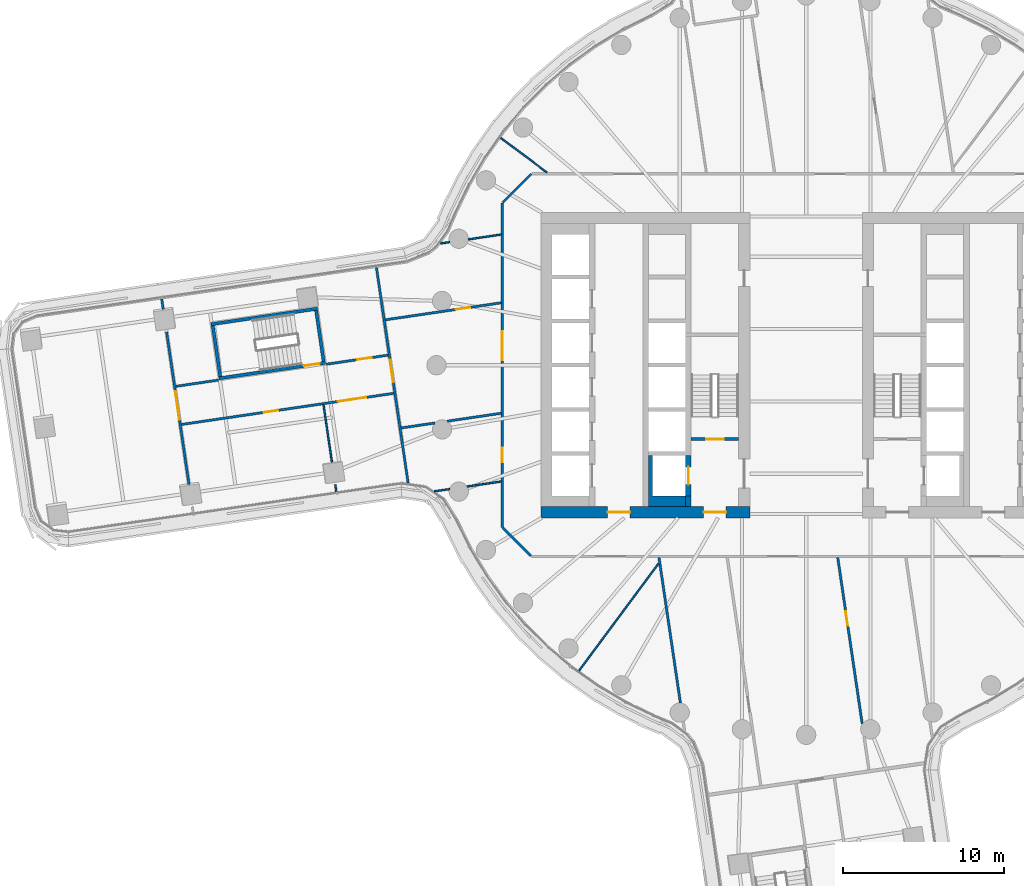
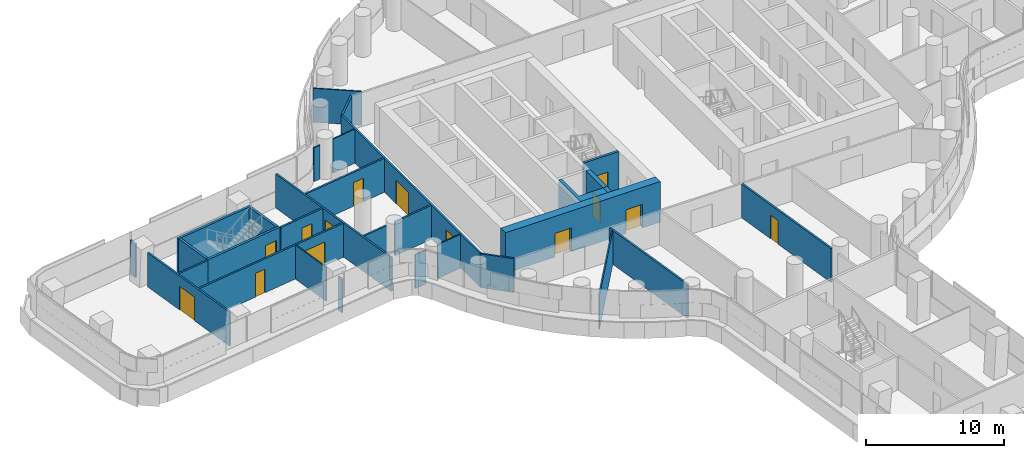
# One storey, part 20 of 31: 31 walls, 14 doors, 14 openings.
"""IFC4 building model written with IfcOpenShell, lengths in metres."""

from ifc_helpers import new_model, si_unit, direction, frame, frame_2d, origin, place, context, subcontext, project, spatial, polyline, rectangle, outline, extrude, material, layer, layer_set, type_object, element, fill, save


model = new_model("IFC4")

# Units and contexts
model_context = context("Model", 3, precision=1e-05, world=origin(), true_north=direction((0.0, 1.0)))
body_context = subcontext(model_context, "Body", "Model", "MODEL_VIEW")
ifc_project = project(units=[si_unit("LENGTHUNIT", "METRE"), si_unit("AREAUNIT", "SQUARE_METRE"), si_unit("VOLUMEUNIT", "CUBIC_METRE"), si_unit("PLANEANGLEUNIT", "RADIAN"), si_unit("MASSUNIT", "GRAM", prefix="KILO")], contexts=[model_context])

# Site, building, storey
site_placement = place(None, origin())
site = spatial("IfcSite", under=ifc_project, at=site_placement, CompositionType="ELEMENT")
building_placement = place(site_placement, origin())
building = spatial("IfcBuilding", under=site, at=building_placement, Name="Tamarind Cross Interchange Tower", CompositionType="ELEMENT")
storey_placement = place(building_placement, frame((0.0, 0.0, 64.0)))
storey = spatial("IfcBuildingStorey", under=building, at=storey_placement, Name="L14", CompositionType="ELEMENT", Elevation=64.0)

# Wall, openings, doors
ifc_material_1 = material(Name="Concrete C80", Category="concrete")
ifc_layer_1 = layer(ifc_material_1, 0.699951171875)
ifc_layer_set_1 = layer_set([ifc_layer_1], Name="Concrete C80")
wall_type_1 = type_object("IfcWallType", Name="Core wall 700 mm Concrete C80", PredefinedType="SHEAR", material=ifc_layer_set_1)
wall_1_placement = place(storey_placement, frame((-16.5, -9.14990234375, 0.0), z_axis=(0.0, 0.0, 1.0), x_axis=(1.0, 0.0, 0.0)))
wall_1 = element("IfcWall", 1, at=wall_1_placement, inside=storey, type_object=wall_type_1, Name="Core wall CWL-L14-W-S", PredefinedType="SHEAR", context=body_context, shape_type="SweptSolid", body=[
    extrude(rectangle(XDim=13.0, YDim=0.699951171875, at=frame_2d((6.5, 0.0))), origin(), (0.0, 0.0, 1.0), 3.610107421875),
])
opening_1_placement = place(wall_1_placement, frame((4.14990234375, 0.0, 0.0)))
opening_1 = element("IfcOpeningElement", 2, at=opening_1_placement, cuts=wall_1, Name="Opening DCW1", PredefinedType="OPENING", context=body_context, shape_type="SweptSolid", body=[
    extrude(rectangle(XDim=1.39990234375, YDim=2.10009765625, at=frame_2d((0.699951171875, 1.050048828125))), frame((0.0, 0.35986328125, 0.0), z_axis=(0.0, -1.0, 0.0), x_axis=(1.0, 0.0, 0.0)), (0.0, 0.0, 1.0), 0.719970703125),
])
opening_2_placement = place(wall_1_placement, frame((10.125, 0.0, 0.0)))
opening_2 = element("IfcOpeningElement", 3, at=opening_2_placement, cuts=wall_1, Name="Opening DCWF", PredefinedType="OPENING", context=body_context, shape_type="SweptSolid", body=[
    extrude(rectangle(XDim=1.39990234375, YDim=2.10009765625, at=frame_2d((0.699951171875, 1.050048828125))), frame((0.0, 0.35986328125, 0.0), z_axis=(0.0, -1.0, 0.0), x_axis=(1.0, 0.0, 0.0)), (0.0, 0.0, 1.0), 0.719970703125),
])
ifc_material_2 = material(Name="Steel, fire-resisting", Category="steel")
door_type_1 = type_object("IfcDoorType", Name="Core fire door 1400 x 2100 FD90", OperationType="SINGLE_SWING_LEFT", PredefinedType="DOOR", material=ifc_material_2)
door_1_placement = place(opening_1_placement, origin())
door_1 = element("IfcDoor", 4, at=door_1_placement, inside=storey, type_object=door_type_1, Name="L14 lift lobby door", OperationType="SINGLE_SWING_LEFT", OverallHeight=2.10009765625, OverallWidth=1.39990234375, PredefinedType="DOOR", context=body_context, shape_type="SweptSolid", body=[
    extrude(rectangle(XDim=1.39990234375, YDim=2.10009765625, at=frame_2d((0.699951171875, 1.050048828125))), frame((0.0, 0.02490234375, 0.0), z_axis=(0.0, -1.0, 0.0), x_axis=(1.0, 0.0, 0.0)), (0.0, 0.0, 1.0), 0.050048828125),
])
fill(opening_1, door_1)
door_2_placement = place(opening_2_placement, origin())
door_2 = element("IfcDoor", 5, at=door_2_placement, inside=storey, type_object=door_type_1, Name="L14 firefighting lobby end door", OperationType="SINGLE_SWING_LEFT", OverallHeight=2.10009765625, OverallWidth=1.39990234375, PredefinedType="DOOR", context=body_context, shape_type="SweptSolid", body=[
    extrude(rectangle(XDim=1.39990234375, YDim=2.10009765625, at=frame_2d((0.699951171875, 1.050048828125))), frame((0.0, 0.02490234375, 0.0), z_axis=(0.0, -1.0, 0.0), x_axis=(1.0, 0.0, 0.0)), (0.0, 0.0, 1.0), 0.050048828125),
])
fill(opening_2, door_2)

# Walls
ifc_layer_2 = layer(ifc_material_1, 0.35009765625)
ifc_layer_set_2 = layer_set([ifc_layer_2], Name="Concrete C80")
wall_type_2 = type_object("IfcWallType", Name="Core web wall 350 mm Concrete C80", PredefinedType="SHEAR", material=ifc_layer_set_2)
wall_2_placement = place(storey_placement, origin())
element("IfcWall", 6, at=wall_2_placement, inside=storey, type_object=wall_type_2, Name="Core wall CWL-L14-W-BS", PredefinedType="SHEAR", context=body_context, shape_type="SweptSolid", body=[
    extrude(outline(polyline([(-7.5, -8.125), (-9.550048828125, -8.125), (-9.550048828125, -5.625), (-9.800048828125, -5.625), (-9.800048828125, -8.125), (-9.800048828125, -8.800048828125), (-7.5, -8.800048828125), (-7.5, -8.125)])), origin(), (0.0, 0.0, 1.0), 3.610107421875),
])
wall_3_placement = place(storey_placement, frame((-7.324951171875, -8.800048828125, 0.0), z_axis=(0.0, 0.0, 1.0), x_axis=(0.0, 1.0, 0.0)))
element("IfcWall", 7, at=wall_3_placement, inside=storey, type_object=wall_type_2, Name="Core wall CWL-L14-W-BW", PredefinedType="SHEAR", context=body_context, shape_type="SweptSolid", body=[
    extrude(rectangle(XDim=0.675048828125, YDim=0.35009765625, at=frame_2d((0.33740234375, 0.0))), origin(), (0.0, 0.0, 1.0), 3.610107421875),
])

# Wall, opening, door
wall_4_placement = place(storey_placement, frame((-7.324951171875, -8.125, 0.0), z_axis=(0.0, 0.0, 1.0), x_axis=(0.0, 1.0, 0.0)))
wall_4 = element("IfcWall", 8, at=wall_4_placement, inside=storey, type_object=wall_type_2, Name="Core wall CWL-L14-W-FF", PredefinedType="SHEAR", context=body_context, shape_type="SweptSolid", body=[
    extrude(rectangle(XDim=2.5, YDim=0.35009765625, at=frame_2d((1.25, 0.0))), origin(), (0.0, 0.0, 1.0), 3.610107421875),
])
opening_3_placement = place(wall_4_placement, frame((0.699951171875, 0.0, 0.0)))
opening_3 = element("IfcOpeningElement", 9, at=opening_3_placement, cuts=wall_4, Name="Opening LD7L14", PredefinedType="OPENING", context=body_context, shape_type="SweptSolid", body=[
    extrude(rectangle(XDim=1.10009765625, YDim=2.10009765625, at=frame_2d((0.550048828125, 1.050048828125))), frame((0.0, 0.18505859375, 0.0), z_axis=(0.0, -1.0, 0.0), x_axis=(1.0, 0.0, 0.0)), (0.0, 0.0, 1.0), 0.3701171875),
])
ifc_material_3 = material(Name="Stainless steel panel", Category="steel")
door_type_2 = type_object("IfcDoorType", Name="Lift landing door 1100 x 2100 E 120", OperationType="SLIDING_TO_LEFT", PredefinedType="DOOR", material=ifc_material_3)
door_3_placement = place(opening_3_placement, origin())
door_3 = element("IfcDoor", 10, at=door_3_placement, inside=storey, type_object=door_type_2, Name="L14 landing door LF7", OperationType="SLIDING_TO_LEFT", OverallHeight=2.10009765625, OverallWidth=1.10009765625, PredefinedType="DOOR", context=body_context, shape_type="SweptSolid", body=[
    extrude(rectangle(XDim=1.10009765625, YDim=2.10009765625, at=frame_2d((0.550048828125, 1.050048828125))), frame((0.0, 0.02490234375, 0.0), z_axis=(0.0, -1.0, 0.0), x_axis=(1.0, 0.0, 0.0)), (0.0, 0.0, 1.0), 0.050048828125),
])
fill(opening_3, door_3)

# Walls
ifc_material_4 = material(Name="Gypsum board partition on steel studs", Category="steel")
ifc_layer_3 = layer(ifc_material_4, 0.10009765625)
ifc_layer_set_3 = layer_set([ifc_layer_3], Name="Gypsum board partition on steel studs")
wall_type_3 = type_object("IfcWallType", Name="Partition 100 mm EI 120", PredefinedType="PARTITIONING", material=ifc_layer_set_3)
wall_5_placement = place(storey_placement, frame((-19.001220703125, 14.13330078125, 0.0), z_axis=(0.0, 0.0, 1.0), x_axis=(0.802357716304, -0.596843442695, 0.0)))
element("IfcWall", 11, at=wall_5_placement, inside=storey, type_object=wall_type_3, Name="Partition L14-036", PredefinedType="PARTITIONING", context=body_context, shape_type="SweptSolid", body=[
    extrude(rectangle(XDim=3.581787109375, YDim=0.10009765625, at=frame_2d((1.791015625, 0.0))), origin(), (0.0, 0.0, 1.0), 3.010009765625),
])
ifc_layer_4 = layer(ifc_material_4, 0.10009765625)
ifc_layer_set_4 = layer_set([ifc_layer_4], Name="Gypsum board partition on steel studs")
wall_type_4 = type_object("IfcWallType", Name="Partition 100 mm EI 90", PredefinedType="PARTITIONING", material=ifc_layer_set_4)
wall_6_placement = place(storey_placement, frame((-30.02685546875, -2.46337890625, 0.0), z_axis=(0.0, 0.0, 1.0), x_axis=(0.145302691469, -0.989387248681, 0.0)))
element("IfcWall", 12, at=wall_6_placement, inside=storey, type_object=wall_type_4, Name="Partition L14-004", PredefinedType="PARTITIONING", context=body_context, shape_type="SweptSolid", body=[
    extrude(rectangle(XDim=3.600830078125, YDim=0.10009765625, at=frame_2d((1.80029296875, 0.0))), origin(), (0.0, 0.0, 1.0), 3.010009765625),
])
wall_7_placement = place(storey_placement, frame((-29.29736328125, -7.4306640625, 0.0), z_axis=(0.0, 0.0, 1.0), x_axis=(0.145411905938, -0.989371203144, 0.0)))
element("IfcWall", 13, at=wall_7_placement, inside=storey, type_object=wall_type_4, Name="Partition L14-005", PredefinedType="PARTITIONING", context=body_context, shape_type="SweptSolid", body=[
    extrude(rectangle(XDim=0.42822265625, YDim=0.10009765625, at=frame_2d((0.214111328125, 0.0))), origin(), (0.0, 0.0, 1.0), 3.010009765625),
])
wall_8_placement = place(storey_placement, frame((-23.128173828125, -7.84765625, 0.0), z_axis=(0.0, 0.0, 1.0), x_axis=(0.989386100857, 0.145310506954, 0.0)))
element("IfcWall", 14, at=wall_8_placement, inside=storey, type_object=wall_type_4, Name="Partition L14-048", PredefinedType="PARTITIONING", context=body_context, shape_type="SweptSolid", body=[
    extrude(rectangle(XDim=0.957763671875, YDim=0.10009765625, at=frame_2d((0.47900390625, 0.0))), origin(), (0.0, 0.0, 1.0), 3.010009765625),
])
wall_9_placement = place(storey_placement, frame((-21.09716796875, -7.549072265625, 0.0), z_axis=(0.0, 0.0, 1.0), x_axis=(0.989370639684, 0.145415739624, 0.0)))
element("IfcWall", 15, at=wall_9_placement, inside=storey, type_object=wall_type_4, Name="Partition L14-049", PredefinedType="PARTITIONING", context=body_context, shape_type="SweptSolid", body=[
    extrude(rectangle(XDim=2.15576171875, YDim=0.10009765625, at=frame_2d((1.077880859375, 0.0))), origin(), (0.0, 0.0, 1.0), 3.010009765625),
])
wall_10_placement = place(storey_placement, frame((-22.7509765625, 7.571044921875, 0.0), z_axis=(0.0, 0.0, 1.0), x_axis=(0.98935388362, 0.145529697883, 0.0)))
element("IfcWall", 16, at=wall_10_placement, inside=storey, type_object=wall_type_4, Name="Partition L14-052", PredefinedType="PARTITIONING", context=body_context, shape_type="SweptSolid", body=[
    extrude(rectangle(XDim=0.590576171875, YDim=0.10009765625, at=frame_2d((0.29541015625, 0.0))), origin(), (0.0, 0.0, 1.0), 3.010009765625),
])
wall_11_placement = place(storey_placement, frame((-21.013671875, 7.826416015625, 0.0), z_axis=(0.0, 0.0, 1.0), x_axis=(0.989366120347, 0.145446484692, 0.0)))
element("IfcWall", 17, at=wall_11_placement, inside=storey, type_object=wall_type_4, Name="Partition L14-053", PredefinedType="PARTITIONING", context=body_context, shape_type="SweptSolid", body=[
    extrude(rectangle(XDim=2.0712890625, YDim=0.10009765625, at=frame_2d((1.03564453125, 0.0))), origin(), (0.0, 0.0, 1.0), 3.010009765625),
])
wall_12_placement = place(storey_placement, frame((-14.13330078125, -19.001220703125, 0.0), z_axis=(0.0, 0.0, 1.0), x_axis=(0.596808955644, 0.80238336876, 0.0)))
element("IfcWall", 18, at=wall_12_placement, inside=storey, type_object=wall_type_4, Name="Partition L14-073", PredefinedType="PARTITIONING", context=body_context, shape_type="SweptSolid", body=[
    extrude(rectangle(XDim=8.275146484375, YDim=0.10009765625, at=frame_2d((4.1376953125, 0.0))), origin(), (0.0, 0.0, 1.0), 3.010009765625),
])
ifc_layer_5 = layer(ifc_material_4, 0.14990234375)
ifc_layer_set_5 = layer_set([ifc_layer_5], Name="Gypsum board partition on steel studs")
wall_type_5 = type_object("IfcWallType", Name="Partition 150 mm EI 120", PredefinedType="PARTITIONING", material=ifc_layer_set_5)
wall_13_placement = place(storey_placement, frame((-40.08984375, 4.113037109375, 0.0), z_axis=(0.0, 0.0, 1.0), x_axis=(0.145362527473, -0.989378459239, 0.0)))
element("IfcWall", 19, at=wall_13_placement, inside=storey, type_object=wall_type_5, Name="Partition L14-001", PredefinedType="PARTITIONING", context=body_context, shape_type="SweptSolid", body=[
    extrude(rectangle(XDim=0.6416015625, YDim=0.14990234375, at=frame_2d((0.32080078125, 0.0))), origin(), (0.0, 0.0, 1.0), 3.010009765625),
])

# Wall, opening, door
wall_14_placement = place(storey_placement, frame((-39.790283203125, 2.073486328125, 0.0), z_axis=(0.0, 0.0, 1.0), x_axis=(0.145351084512, -0.989380140407, 0.0)))
wall_14 = element("IfcWall", 20, at=wall_14_placement, inside=storey, type_object=wall_type_5, Name="Partition L14-002", PredefinedType="PARTITIONING", context=body_context, shape_type="SweptSolid", body=[
    extrude(rectangle(XDim=9.5908203125, YDim=0.14990234375, at=frame_2d((4.79541015625, 0.0))), origin(), (0.0, 0.0, 1.0), 3.010009765625),
])
opening_4_placement = place(wall_14_placement, frame((3.738037109375, 0.0, 0.0)))
opening_4 = element("IfcOpeningElement", 21, at=opening_4_placement, cuts=wall_14, Name="Opening D01", PredefinedType="OPENING", context=body_context, shape_type="SweptSolid", body=[
    extrude(rectangle(XDim=1.800048828125, YDim=2.10009765625, at=frame_2d((0.89990234375, 1.050048828125))), frame((0.0, 0.0849609375, 0.0), z_axis=(0.0, -1.0, 0.0), x_axis=(1.0, 0.0, 0.0)), (0.0, 0.0, 1.0), 0.169921875),
])
ifc_material_5 = material(Name="Fire-resisting door set")
door_type_3 = type_object("IfcDoorType", Name="Interior door 1800 x 2100 FD60S", OperationType="DOUBLE_DOOR_SINGLE_SWING", PredefinedType="DOOR", material=ifc_material_5)
door_4_placement = place(opening_4_placement, frame((1.800048828125, 0.0, 0.0), z_axis=(0.0, 0.0, 1.0), x_axis=(-1.0, 0.0, 0.0)))
door_4 = element("IfcDoor", 22, at=door_4_placement, inside=storey, type_object=door_type_3, Name="Door D01", OperationType="DOUBLE_DOOR_SINGLE_SWING", OverallHeight=2.10009765625, OverallWidth=1.800048828125, PredefinedType="DOOR", context=body_context, shape_type="SweptSolid", body=[
    extrude(rectangle(XDim=1.800048828125, YDim=2.10009765625, at=frame_2d((0.89990234375, 1.050048828125))), frame((0.0, 0.02490234375, 0.0), z_axis=(0.0, -1.0, 0.0), x_axis=(1.0, 0.0, 0.0)), (0.0, 0.0, 1.0), 0.050048828125),
])
fill(opening_4, door_4)

wall_15_placement = place(storey_placement, frame((-26.73388671875, 6.075439453125, 0.0), z_axis=(0.0, 0.0, 1.0), x_axis=(0.145452992711, -0.989365163583, 0.0)))
wall_15 = element("IfcWall", 23, at=wall_15_placement, inside=storey, type_object=wall_type_5, Name="Partition L14-006", PredefinedType="PARTITIONING", context=body_context, shape_type="SweptSolid", body=[
    extrude(rectangle(XDim=13.543701171875, YDim=0.14990234375, at=frame_2d((6.77197265625, 0.0))), origin(), (0.0, 0.0, 1.0), 3.010009765625),
])
opening_5_placement = place(wall_15_placement, frame((5.798828125, 0.0, 0.0)))
opening_5 = element("IfcOpeningElement", 24, at=opening_5_placement, cuts=wall_15, Name="Opening D02", PredefinedType="OPENING", context=body_context, shape_type="SweptSolid", body=[
    extrude(rectangle(XDim=1.39990234375, YDim=2.10009765625, at=frame_2d((0.699951171875, 1.050048828125))), frame((0.0, 0.0849609375, 0.0), z_axis=(0.0, -1.0, 0.0), x_axis=(1.0, 0.0, 0.0)), (0.0, 0.0, 1.0), 0.169921875),
])
door_type_4 = type_object("IfcDoorType", Name="Interior door 1400 x 2100 FD60S", OperationType="DOUBLE_DOOR_SINGLE_SWING", PredefinedType="DOOR", material=ifc_material_5)
door_5_placement = place(opening_5_placement, origin())
door_5 = element("IfcDoor", 25, at=door_5_placement, inside=storey, type_object=door_type_4, Name="Door D02", OperationType="DOUBLE_DOOR_SINGLE_SWING", OverallHeight=2.10009765625, OverallWidth=1.39990234375, PredefinedType="DOOR", context=body_context, shape_type="SweptSolid", body=[
    extrude(rectangle(XDim=1.39990234375, YDim=2.10009765625, at=frame_2d((0.699951171875, 1.050048828125))), frame((0.0, 0.02490234375, 0.0), z_axis=(0.0, -1.0, 0.0), x_axis=(1.0, 0.0, 0.0)), (0.0, 0.0, 1.0), 0.050048828125),
])
fill(opening_5, door_5)

# Wall
wall_16_placement = place(storey_placement, frame((-9.15576171875, -11.96923828125, 0.0), z_axis=(0.0, 0.0, 1.0), x_axis=(0.145719234009, -0.989325985123, 0.0)))
element("IfcWall", 26, at=wall_16_placement, inside=storey, type_object=wall_type_5, Name="Partition L14-007", PredefinedType="PARTITIONING", context=body_context, shape_type="SweptSolid", body=[
    extrude(rectangle(XDim=9.142822265625, YDim=0.14990234375, at=frame_2d((4.5712890625, 0.0))), origin(), (0.0, 0.0, 1.0), 3.010009765625),
])

# Wall, opening, door
wall_17_placement = place(storey_placement, frame((1.965087890625, -11.968994140625, 0.0), z_axis=(0.0, 0.0, 1.0), x_axis=(0.145545031987, -0.989351627918, 0.0)))
wall_17 = element("IfcWall", 27, at=wall_17_placement, inside=storey, type_object=wall_type_5, Name="Partition L14-016", PredefinedType="PARTITIONING", context=body_context, shape_type="SweptSolid", body=[
    extrude(rectangle(XDim=10.46533203125, YDim=0.14990234375, at=frame_2d((5.232666015625, 0.0))), origin(), (0.0, 0.0, 1.0), 3.010009765625),
])
opening_6_placement = place(wall_17_placement, frame((3.3798828125, 0.0, 0.0)))
opening_6 = element("IfcOpeningElement", 28, at=opening_6_placement, cuts=wall_17, Name="Opening D05", PredefinedType="OPENING", context=body_context, shape_type="SweptSolid", body=[
    extrude(rectangle(XDim=0.89990234375, YDim=2.10009765625, at=frame_2d((0.449951171875, 1.050048828125))), frame((0.0, 0.0849609375, 0.0), z_axis=(0.0, -1.0, 0.0), x_axis=(1.0, 0.0, 0.0)), (0.0, 0.0, 1.0), 0.169921875),
])
door_type_5 = type_object("IfcDoorType", Name="Interior door 900 x 2100 FD60S", OperationType="SINGLE_SWING_LEFT", PredefinedType="DOOR", material=ifc_material_5)
door_6_placement = place(opening_6_placement, origin())
door_6 = element("IfcDoor", 29, at=door_6_placement, inside=storey, type_object=door_type_5, Name="Door D05", OperationType="SINGLE_SWING_RIGHT", OverallHeight=2.10009765625, OverallWidth=0.89990234375, PredefinedType="DOOR", context=body_context, shape_type="SweptSolid", body=[
    extrude(rectangle(XDim=0.89990234375, YDim=2.10009765625, at=frame_2d((0.449951171875, 1.050048828125))), frame((0.0, 0.02490234375, 0.0), z_axis=(0.0, -1.0, 0.0), x_axis=(1.0, 0.0, 0.0)), (0.0, 0.0, 1.0), 0.050048828125),
])
fill(opening_6, door_6)

# Walls
wall_18_placement = place(storey_placement, frame((-18.87158203125, -10.12841796875, 0.0), z_axis=(0.0, 0.0, 1.0), x_axis=(0.707106781187, -0.707106781187, 0.0)))
element("IfcWall", 30, at=wall_18_placement, inside=storey, type_object=wall_type_5, Name="Partition L14-034", PredefinedType="PARTITIONING", context=body_context, shape_type="SweptSolid", body=[
    extrude(rectangle(XDim=2.465087890625, YDim=0.14990234375, at=frame_2d((1.232421875, 0.0))), origin(), (0.0, 0.0, 1.0), 3.010009765625),
])
wall_19_placement = place(storey_placement, frame((-39.2119140625, -1.31640625, 0.0), z_axis=(0.0, 0.0, 1.0), x_axis=(0.989376867042, 0.145373364003, 0.0)))
element("IfcWall", 31, at=wall_19_placement, inside=storey, type_object=wall_type_5, Name="Partition L14-040", PredefinedType="PARTITIONING", context=body_context, shape_type="SweptSolid", body=[
    extrude(rectangle(XDim=2.680419921875, YDim=0.14990234375, at=frame_2d((1.34033203125, 0.0))), origin(), (0.0, 0.0, 1.0), 3.010009765625),
])

# Wall, opening, door
wall_20_placement = place(storey_placement, frame((-29.852783203125, 0.05908203125, 0.0), z_axis=(0.0, 0.0, 1.0), x_axis=(0.989374823663, 0.14538727008, 0.0)))
wall_20 = element("IfcWall", 32, at=wall_20_placement, inside=storey, type_object=wall_type_5, Name="Partition L14-041", PredefinedType="PARTITIONING", context=body_context, shape_type="SweptSolid", body=[
    extrude(rectangle(XDim=3.8857421875, YDim=0.14990234375, at=frame_2d((1.94287109375, 0.0))), origin(), (0.0, 0.0, 1.0), 3.010009765625),
])
opening_7_placement = place(wall_20_placement, frame((1.949951171875, 0.0, 0.0)))
opening_7 = element("IfcOpeningElement", 33, at=opening_7_placement, cuts=wall_20, Name="Opening D23", PredefinedType="OPENING", context=body_context, shape_type="SweptSolid", body=[
    extrude(rectangle(XDim=0.89990234375, YDim=2.10009765625, at=frame_2d((0.449951171875, 1.050048828125))), frame((0.0, 0.0849609375, 0.0), z_axis=(0.0, -1.0, 0.0), x_axis=(1.0, 0.0, 0.0)), (0.0, 0.0, 1.0), 0.169921875),
])
door_7_placement = place(opening_7_placement, origin())
door_7 = element("IfcDoor", 34, at=door_7_placement, inside=storey, type_object=door_type_5, Name="Door D23", OperationType="SINGLE_SWING_LEFT", OverallHeight=2.10009765625, OverallWidth=0.89990234375, PredefinedType="DOOR", context=body_context, shape_type="SweptSolid", body=[
    extrude(rectangle(XDim=0.89990234375, YDim=2.10009765625, at=frame_2d((0.449951171875, 1.050048828125))), frame((0.0, 0.02490234375, 0.0), z_axis=(0.0, -1.0, 0.0), x_axis=(1.0, 0.0, 0.0)), (0.0, 0.0, 1.0), 0.050048828125),
])
fill(opening_7, door_7)

# Wall, openings, doors
wall_21_placement = place(storey_placement, frame((-38.86279296875, -3.6904296875, 0.0), z_axis=(0.0, 0.0, 1.0), x_axis=(0.989383441436, 0.145328613194, 0.0)))
wall_21 = element("IfcWall", 35, at=wall_21_placement, inside=storey, type_object=wall_type_5, Name="Partition L14-044", PredefinedType="PARTITIONING", context=body_context, shape_type="SweptSolid", body=[
    extrude(rectangle(XDim=13.34521484375, YDim=0.14990234375, at=frame_2d((6.672607421875, 0.0))), origin(), (0.0, 0.0, 1.0), 3.010009765625),
])
opening_8_placement = place(wall_21_placement, frame((5.169921875, 0.0, 0.0)))
opening_8 = element("IfcOpeningElement", 36, at=opening_8_placement, cuts=wall_21, Name="Opening D24", PredefinedType="OPENING", context=body_context, shape_type="SweptSolid", body=[
    extrude(rectangle(XDim=0.89990234375, YDim=2.10009765625, at=frame_2d((0.449951171875, 1.050048828125))), frame((0.0, 0.0849609375, 0.0), z_axis=(0.0, -1.0, 0.0), x_axis=(1.0, 0.0, 0.0)), (0.0, 0.0, 1.0), 0.169921875),
])
opening_9_placement = place(wall_21_placement, frame((9.820556640625, 0.0, 0.0)))
opening_9 = element("IfcOpeningElement", 37, at=opening_9_placement, cuts=wall_21, Name="Opening D25", PredefinedType="OPENING", context=body_context, shape_type="SweptSolid", body=[
    extrude(rectangle(XDim=1.800048828125, YDim=2.10009765625, at=frame_2d((0.89990234375, 1.050048828125))), frame((0.0, 0.0849609375, 0.0), z_axis=(0.0, -1.0, 0.0), x_axis=(1.0, 0.0, 0.0)), (0.0, 0.0, 1.0), 0.169921875),
])
door_8_placement = place(opening_9_placement, frame((1.800048828125, 0.0, 0.0), z_axis=(0.0, 0.0, 1.0), x_axis=(-1.0, 0.0, 0.0)))
door_8 = element("IfcDoor", 38, at=door_8_placement, inside=storey, type_object=door_type_3, Name="Door D25", OperationType="DOUBLE_DOOR_SINGLE_SWING", OverallHeight=2.10009765625, OverallWidth=1.800048828125, PredefinedType="DOOR", context=body_context, shape_type="SweptSolid", body=[
    extrude(rectangle(XDim=1.800048828125, YDim=2.10009765625, at=frame_2d((0.89990234375, 1.050048828125))), frame((0.0, 0.02490234375, 0.0), z_axis=(0.0, -1.0, 0.0), x_axis=(1.0, 0.0, 0.0)), (0.0, 0.0, 1.0), 0.050048828125),
])
fill(opening_9, door_8)
door_9_placement = place(opening_8_placement, frame((0.89990234375, 0.0, 0.0), z_axis=(0.0, 0.0, 1.0), x_axis=(-1.0, 0.0, 0.0)))
door_9 = element("IfcDoor", 39, at=door_9_placement, inside=storey, type_object=door_type_5, Name="Door D24", OperationType="SINGLE_SWING_LEFT", OverallHeight=2.10009765625, OverallWidth=0.89990234375, PredefinedType="DOOR", context=body_context, shape_type="SweptSolid", body=[
    extrude(rectangle(XDim=0.89990234375, YDim=2.10009765625, at=frame_2d((0.449951171875, 1.050048828125))), frame((0.0, 0.02490234375, 0.0), z_axis=(0.0, -1.0, 0.0), x_axis=(1.0, 0.0, 0.0)), (0.0, 0.0, 1.0), 0.050048828125),
])
fill(opening_8, door_9)

# Wall, opening, door
wall_22_placement = place(storey_placement, frame((-26.1796875, 2.822021484375, 0.0), z_axis=(0.0, 0.0, 1.0), x_axis=(0.989369911443, 0.145420694304, 0.0)))
wall_22 = element("IfcWall", 40, at=wall_22_placement, inside=storey, type_object=wall_type_5, Name="Partition L14-045", PredefinedType="PARTITIONING", context=body_context, shape_type="SweptSolid", body=[
    extrude(rectangle(XDim=7.287841796875, YDim=0.14990234375, at=frame_2d((3.64404296875, 0.0))), origin(), (0.0, 0.0, 1.0), 3.010009765625),
])
opening_10_placement = place(wall_22_placement, frame((4.425048828125, 0.0, 0.0)))
opening_10 = element("IfcOpeningElement", 41, at=opening_10_placement, cuts=wall_22, Name="Opening D26", PredefinedType="OPENING", context=body_context, shape_type="SweptSolid", body=[
    extrude(rectangle(XDim=0.89990234375, YDim=2.10009765625, at=frame_2d((0.449951171875, 1.050048828125))), frame((0.0, 0.0849609375, 0.0), z_axis=(0.0, -1.0, 0.0), x_axis=(1.0, 0.0, 0.0)), (0.0, 0.0, 1.0), 0.169921875),
])
door_10_placement = place(opening_10_placement, origin())
door_10 = element("IfcDoor", 42, at=door_10_placement, inside=storey, type_object=door_type_5, Name="Door D26", OperationType="SINGLE_SWING_LEFT", OverallHeight=2.10009765625, OverallWidth=0.89990234375, PredefinedType="DOOR", context=body_context, shape_type="SweptSolid", body=[
    extrude(rectangle(XDim=0.89990234375, YDim=2.10009765625, at=frame_2d((0.449951171875, 1.050048828125))), frame((0.0, 0.02490234375, 0.0), z_axis=(0.0, -1.0, 0.0), x_axis=(1.0, 0.0, 0.0)), (0.0, 0.0, 1.0), 0.050048828125),
])
fill(opening_10, door_10)

# Walls
wall_23_placement = place(storey_placement, frame((-25.185791015625, -3.904296875, 0.0), z_axis=(0.0, 0.0, 1.0), x_axis=(0.989392222707, 0.145268818563, 0.0)))
element("IfcWall", 43, at=wall_23_placement, inside=storey, type_object=wall_type_5, Name="Partition L14-046", PredefinedType="PARTITIONING", context=body_context, shape_type="SweptSolid", body=[
    extrude(rectangle(XDim=2.12255859375, YDim=0.14990234375, at=frame_2d((1.061279296875, 0.0))), origin(), (0.0, 0.0, 1.0), 3.010009765625),
])
wall_24_placement = place(storey_placement, frame((-22.326904296875, -3.484375, 0.0), z_axis=(0.0, 0.0, 1.0), x_axis=(0.989385008204, 0.145317946381, 0.0)))
element("IfcWall", 44, at=wall_24_placement, inside=storey, type_object=wall_type_5, Name="Partition L14-047", PredefinedType="PARTITIONING", context=body_context, shape_type="SweptSolid", body=[
    extrude(rectangle(XDim=3.393798828125, YDim=0.14990234375, at=frame_2d((1.69677734375, 0.0))), origin(), (0.0, 0.0, 1.0), 3.010009765625),
])
wall_25_placement = place(storey_placement, frame((-18.87158203125, 10.12841796875, 0.0), z_axis=(0.0, 0.0, 1.0), x_axis=(0.707106781187, 0.707106781187, 0.0)))
element("IfcWall", 45, at=wall_25_placement, inside=storey, type_object=wall_type_5, Name="Partition L14-071", PredefinedType="PARTITIONING", context=body_context, shape_type="SweptSolid", body=[
    extrude(rectangle(XDim=2.50537109375, YDim=0.14990234375, at=frame_2d((1.252685546875, 0.0))), origin(), (0.0, 0.0, 1.0), 3.010009765625),
])

# Wall, openings, doors
wall_26_placement = place(storey_placement, frame((-18.89990234375, -10.10009765625, 0.0), z_axis=(0.0, 0.0, 1.0), x_axis=(0.0, 1.0, 0.0)))
wall_26 = element("IfcWall", 46, at=wall_26_placement, inside=storey, type_object=wall_type_5, Name="Partition L14-075", PredefinedType="PARTITIONING", context=body_context, shape_type="SweptSolid", body=[
    extrude(rectangle(XDim=20.2001953125, YDim=0.14990234375, at=frame_2d((10.10009765625, 0.0))), origin(), (0.0, 0.0, 1.0), 3.010009765625),
])
opening_11_placement = place(wall_26_placement, frame((10.4189453125, 0.0, 0.0)))
opening_11 = element("IfcOpeningElement", 47, at=opening_11_placement, cuts=wall_26, Name="Opening D37", PredefinedType="OPENING", context=body_context, shape_type="SweptSolid", body=[
    extrude(rectangle(XDim=1.800048828125, YDim=2.10009765625, at=frame_2d((0.89990234375, 1.050048828125))), frame((0.0, 0.0849609375, 0.0), z_axis=(0.0, -1.0, 0.0), x_axis=(1.0, 0.0, 0.0)), (0.0, 0.0, 1.0), 0.169921875),
])
opening_12_placement = place(wall_26_placement, frame((4.073974609375, 0.0, 0.0)))
opening_12 = element("IfcOpeningElement", 48, at=opening_12_placement, cuts=wall_26, Name="Opening D38", PredefinedType="OPENING", context=body_context, shape_type="SweptSolid", body=[
    extrude(rectangle(XDim=0.89990234375, YDim=2.10009765625, at=frame_2d((0.449951171875, 1.050048828125))), frame((0.0, 0.0849609375, 0.0), z_axis=(0.0, -1.0, 0.0), x_axis=(1.0, 0.0, 0.0)), (0.0, 0.0, 1.0), 0.169921875),
])
door_11_placement = place(opening_11_placement, frame((1.800048828125, 0.0, 0.0), z_axis=(0.0, 0.0, 1.0), x_axis=(-1.0, 0.0, 0.0)))
door_11 = element("IfcDoor", 49, at=door_11_placement, inside=storey, type_object=door_type_3, Name="Door D37", OperationType="DOUBLE_DOOR_SINGLE_SWING", OverallHeight=2.10009765625, OverallWidth=1.800048828125, PredefinedType="DOOR", context=body_context, shape_type="SweptSolid", body=[
    extrude(rectangle(XDim=1.800048828125, YDim=2.10009765625, at=frame_2d((0.89990234375, 1.050048828125))), frame((0.0, 0.02490234375, 0.0), z_axis=(0.0, -1.0, 0.0), x_axis=(1.0, 0.0, 0.0)), (0.0, 0.0, 1.0), 0.050048828125),
])
fill(opening_11, door_11)
door_12_placement = place(opening_12_placement, origin())
door_12 = element("IfcDoor", 50, at=door_12_placement, inside=storey, type_object=door_type_5, Name="Door D38", OperationType="SINGLE_SWING_RIGHT", OverallHeight=2.10009765625, OverallWidth=0.89990234375, PredefinedType="DOOR", context=body_context, shape_type="SweptSolid", body=[
    extrude(rectangle(XDim=0.89990234375, YDim=2.10009765625, at=frame_2d((0.449951171875, 1.050048828125))), frame((0.0, 0.02490234375, 0.0), z_axis=(0.0, -1.0, 0.0), x_axis=(1.0, 0.0, 0.0)), (0.0, 0.0, 1.0), 0.050048828125),
])
fill(opening_12, door_12)

# Wall, opening, door
ifc_material_6 = material(Name="Concrete C40", Category="concrete")
ifc_layer_6 = layer(ifc_material_6, 0.199951171875)
ifc_layer_set_6 = layer_set([ifc_layer_6], Name="Concrete C40")
wall_type_6 = type_object("IfcWallType", Name="Stair shaft wall 200 mm Concrete C40", PredefinedType="SHEAR", material=ifc_layer_set_6)
wall_27_placement = place(storey_placement, frame((-7.14990234375, -4.60009765625, 0.0), z_axis=(0.0, 0.0, 1.0), x_axis=(1.0, 0.0, 0.0)))
wall_27 = element("IfcWall", 51, at=wall_27_placement, inside=storey, type_object=wall_type_6, Name="Core wall CWL-L14-W-SD", PredefinedType="SHEAR", context=body_context, shape_type="SweptSolid", body=[
    extrude(rectangle(XDim=2.949951171875, YDim=0.199951171875, at=frame_2d((1.47509765625, 0.0))), origin(), (0.0, 0.0, 1.0), 3.610107421875),
])
opening_13_placement = place(wall_27_placement, frame((0.925048828125, 0.0, 0.0)))
opening_13 = element("IfcOpeningElement", 52, at=opening_13_placement, cuts=wall_27, Name="Opening DCW6", PredefinedType="OPENING", context=body_context, shape_type="SweptSolid", body=[
    extrude(rectangle(XDim=1.10009765625, YDim=2.10009765625, at=frame_2d((0.550048828125, 1.050048828125))), frame((0.0, 0.10986328125, 0.0), z_axis=(0.0, -1.0, 0.0), x_axis=(1.0, 0.0, 0.0)), (0.0, 0.0, 1.0), 0.219970703125),
])
door_type_6 = type_object("IfcDoorType", Name="Core fire door 1100 x 2100 FD90", OperationType="SINGLE_SWING_LEFT", PredefinedType="DOOR", material=ifc_material_2)
door_13_placement = place(opening_13_placement, origin())
door_13 = element("IfcDoor", 53, at=door_13_placement, inside=storey, type_object=door_type_6, Name="L14 stair door", OperationType="SINGLE_SWING_LEFT", OverallHeight=2.10009765625, OverallWidth=1.10009765625, PredefinedType="DOOR", context=body_context, shape_type="SweptSolid", body=[
    extrude(rectangle(XDim=1.10009765625, YDim=2.10009765625, at=frame_2d((0.550048828125, 1.050048828125))), frame((0.0, 0.02490234375, 0.0), z_axis=(0.0, -1.0, 0.0), x_axis=(1.0, 0.0, 0.0)), (0.0, 0.0, 1.0), 0.050048828125),
])
fill(opening_13, door_13)

wall_28_placement = place(storey_placement, frame((-29.906005859375, 0.15234375, -0.139892578125), z_axis=(0.0, 0.0, 1.0), x_axis=(-0.989379797551, -0.145353418254, 0.0)))
wall_28 = element("IfcWall", 54, at=wall_28_placement, inside=storey, type_object=wall_type_6, Name="Core wall CWL-L14-ST5-H", PredefinedType="SHEAR", context=body_context, shape_type="SweptSolid", body=[
    extrude(rectangle(XDim=6.699951171875, YDim=0.199951171875, at=frame_2d((3.35009765625, 0.0))), origin(), (0.0, 0.0, 1.0), 3.14990234375),
])
opening_14_placement = place(wall_28_placement, frame((0.35009765625, 0.0, 0.0)))
opening_14 = element("IfcOpeningElement", 55, at=opening_14_placement, cuts=wall_28, Name="Opening ST5L14", PredefinedType="OPENING", context=body_context, shape_type="SweptSolid", body=[
    extrude(rectangle(XDim=1.0, YDim=2.10009765625, at=frame_2d((0.5, 1.050048828125))), frame((0.0, 0.10986328125, 0.0), z_axis=(0.0, -1.0, 0.0), x_axis=(1.0, 0.0, 0.0)), (0.0, 0.0, 1.0), 0.219970703125),
])
door_type_7 = type_object("IfcDoorType", Name="Core fire door 1000 x 2100 FD90", OperationType="SINGLE_SWING_LEFT", PredefinedType="DOOR", material=ifc_material_2)
door_14_placement = place(opening_14_placement, origin())
door_14 = element("IfcDoor", 56, at=door_14_placement, inside=storey, type_object=door_type_7, Name="L14 stair door ST5", OperationType="SINGLE_SWING_LEFT", OverallHeight=2.10009765625, OverallWidth=1.0, PredefinedType="DOOR", context=body_context, shape_type="SweptSolid", body=[
    extrude(rectangle(XDim=1.0, YDim=2.10009765625, at=frame_2d((0.5, 1.050048828125))), frame((0.0, 0.02490234375, 0.0), z_axis=(0.0, -1.0, 0.0), x_axis=(1.0, 0.0, 0.0)), (0.0, 0.0, 1.0), 0.050048828125),
])
fill(opening_14, door_14)

# Walls
wall_29_placement = place(storey_placement, frame((-30.400390625, 3.51611328125, -0.139892578125), z_axis=(0.0, 0.0, 1.0), x_axis=(-0.989379797551, -0.145353418254, 0.0)))
element("IfcWall", 57, at=wall_29_placement, inside=storey, type_object=wall_type_6, Name="Core wall CWL-L14-ST5-C", PredefinedType="SHEAR", context=body_context, shape_type="SweptSolid", body=[
    extrude(rectangle(XDim=6.699951171875, YDim=0.199951171875, at=frame_2d((3.35009765625, 0.0))), origin(), (0.0, 0.0, 1.0), 3.14990234375),
])
wall_30_placement = place(storey_placement, frame((-30.48486328125, 3.40283203125, -0.139892578125), z_axis=(0.0, 0.0, 1.0), x_axis=(0.145414918965, -0.989370760303, 0.0)))
element("IfcWall", 58, at=wall_30_placement, inside=storey, type_object=wall_type_6, Name="Core wall CWL-L14-ST5-CE", PredefinedType="SHEAR", context=body_context, shape_type="SweptSolid", body=[
    extrude(rectangle(XDim=3.199951171875, YDim=0.199951171875, at=frame_2d((1.60009765625, 0.0))), origin(), (0.0, 0.0, 1.0), 3.14990234375),
])
wall_31_placement = place(storey_placement, frame((0.0, 0.0, -0.139892578125)))
element("IfcWall", 59, at=wall_31_placement, inside=storey, type_object=wall_type_6, Name="Core wall CWL-L14-ST5-CF", PredefinedType="SHEAR", context=body_context, shape_type="SweptSolid", body=[
    extrude(outline(polyline([(-36.81689453125, 2.472412109375), (-37.0146484375, 2.443359375), (-36.549560546875, -0.72265625), (-36.3515625, -0.693603515625), (-36.81689453125, 2.472412109375)])), origin(), (0.0, 0.0, 1.0), 3.14990234375),
])

save(model, "model.ifc")
